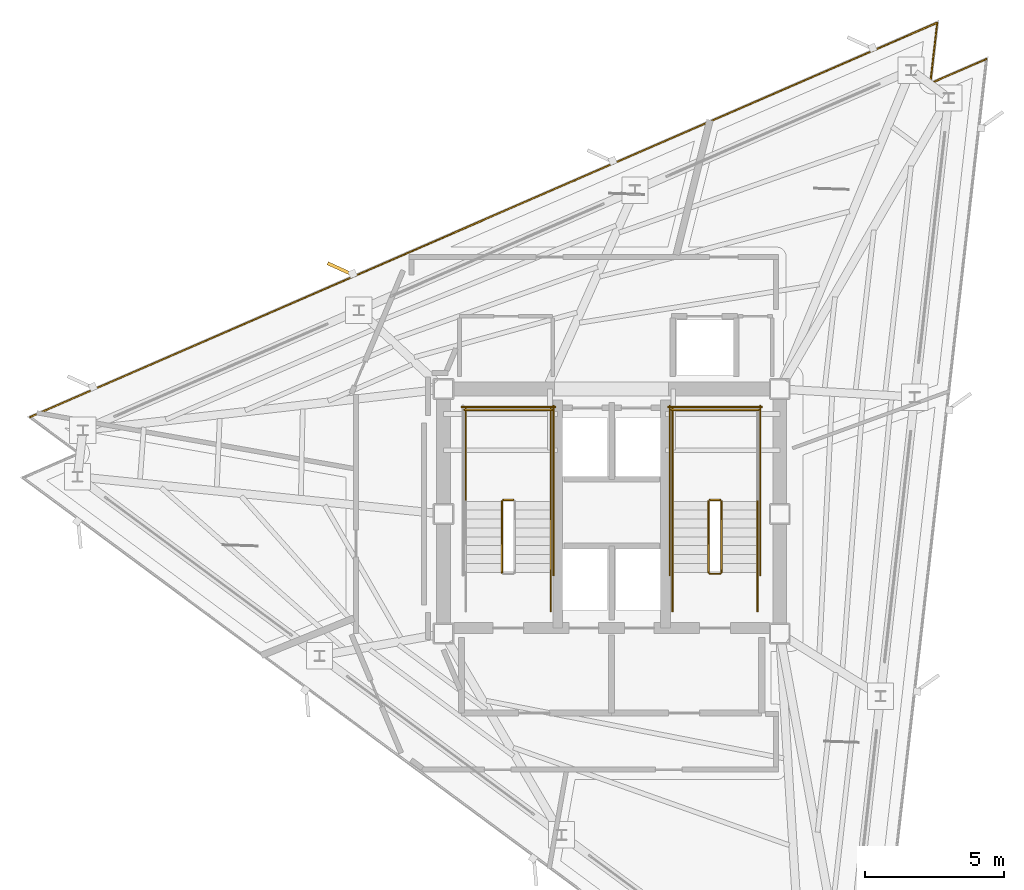
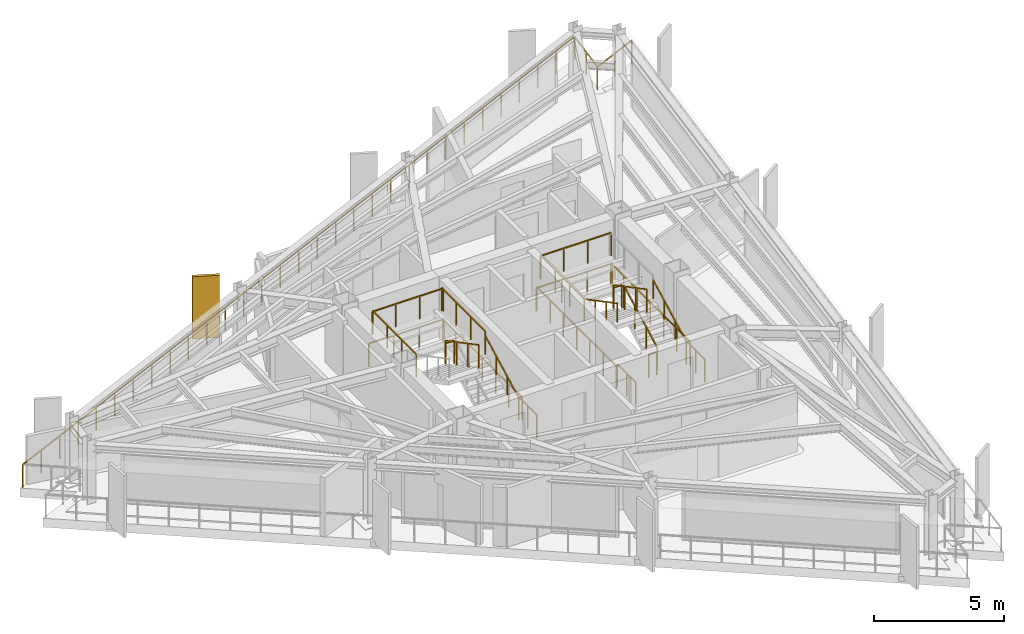
# One storey, part 9 of 10: 23 railings, 1 shading device.
"""IFC4 building model written with IfcOpenShell, lengths in metres."""

import ifcopenshell
import ifcopenshell.guid

model = None  # the IFC model being written
_history = None  # IfcOwnerHistory: only IFC2X3 demands one
_inside = {}  # id of a spatial element -> (the spatial element, [elements in it])
_under = {}  # id of a project, library or spatial element -> (it, [spatial elements below it])
_declared = {}  # id of a project -> (the project, [libraries it declares])
_typed = {}  # id of a type object -> (the type object, [elements of that type])
_made_of = {}  # id of a material, layer set ... -> (it, [elements and type objects made of it])


def new_model(schema):
    """Start an empty IFC model of exactly this schema.

    Asked for "IFC4X3", IfcOpenShell would pick the latest addendum, in which some entities
    have other attributes; the version numbers below select the first issue.
    IFC2X3 requires an IfcOwnerHistory on every rooted entity: one is made here for all.
    """
    global model, _history
    if schema == "IFC4X3":
        model = ifcopenshell.file(schema_version=(4, 3, 0, 0))
    else:
        model = ifcopenshell.file(schema=schema)
    _inside.clear()
    _under.clear()
    _declared.clear()
    _typed.clear()
    _made_of.clear()
    _history = None
    if model.schema == "IFC2X3":
        org = make("IfcOrganization", Name="unknown")
        user = make(
            "IfcPersonAndOrganization",
            ThePerson=make("IfcPerson", FamilyName="unknown"),
            TheOrganization=org,
        )
        app = make(
            "IfcApplication",
            ApplicationDeveloper=org,
            Version="unknown",
            ApplicationFullName="unknown",
            ApplicationIdentifier="unknown",
        )
        _history = make(
            "IfcOwnerHistory",
            OwningUser=user,
            OwningApplication=app,
            ChangeAction="ADDED",
            CreationDate=0,
        )
    return model


def make(cls, **values):
    """One entity of the class cls with the attributes given. An attribute that is None is left unset."""
    return model.create_entity(
        cls, **{name: value for name, value in values.items() if value is not None}
    )


def rooted(cls, **values):
    """An entity with a GlobalId (a new one), such as an element, a storey or a relation."""
    return make(cls, GlobalId=ifcopenshell.guid.new(), OwnerHistory=_history, **values)


def si_unit(unit_type, name, prefix=None):
    """IfcSIUnit, for example si_unit("LENGTHUNIT", "METRE", prefix="MILLI")."""
    return make("IfcSIUnit", UnitType=unit_type, Prefix=prefix, Name=name)


def assignment(units):
    """IfcUnitAssignment: the units of a project."""
    return None if units is None else make("IfcUnitAssignment", Units=units)


def point(xyz):
    """IfcCartesianPoint."""
    return None if xyz is None else make("IfcCartesianPoint", Coordinates=xyz)


def direction(xyz):
    """IfcDirection."""
    return None if xyz is None else make("IfcDirection", DirectionRatios=xyz)


def frame(location, z_axis=None, x_axis=None):
    """IfcAxis2Placement3D, a coordinate frame: its origin and axes. An axis left out is left unset."""
    return make(
        "IfcAxis2Placement3D",
        Location=point(location),
        Axis=direction(z_axis),
        RefDirection=direction(x_axis),
    )


def frame_2d(location, x_axis=None):
    """IfcAxis2Placement2D, a coordinate frame in the plane: its origin and x axis."""
    return make(
        "IfcAxis2Placement2D", Location=point(location), RefDirection=direction(x_axis)
    )


def origin():
    """The frame at (0, 0, 0) with its axes left unset."""
    return frame((0.0, 0.0, 0.0))


def origin_2d():
    """The frame at (0, 0) in the plane with its x axis left unset."""
    return frame_2d((0.0, 0.0))


def place(relative_to, where):
    """IfcLocalPlacement: puts the frame where relative to a parent placement (None: the world)."""
    return make(
        "IfcLocalPlacement", PlacementRelTo=relative_to, RelativePlacement=where
    )


def context(
    kind, dimensions, precision=None, world=None, true_north=None, identifier=None
):
    """IfcGeometricRepresentationContext, for example the 3D "Model" context."""
    return make(
        "IfcGeometricRepresentationContext",
        ContextIdentifier=identifier,
        ContextType=kind,
        CoordinateSpaceDimension=dimensions,
        Precision=precision,
        WorldCoordinateSystem=world,
        TrueNorth=true_north,
    )


def subcontext(parent, identifier, kind, view, scale=None):
    """IfcGeometricRepresentationSubContext, for example "Body" below "Model"."""
    return make(
        "IfcGeometricRepresentationSubContext",
        ContextIdentifier=identifier,
        ContextType=kind,
        ParentContext=parent,
        TargetScale=scale,
        TargetView=view,
    )


def project(units=None, contexts=None):
    """IfcProject with its units and contexts."""
    return rooted(
        "IfcProject",
        Name="project",
        RepresentationContexts=contexts,
        UnitsInContext=assignment(units),
    )


def spatial(cls, under=None, at=None, **own):
    """A site, building, storey or space (cls), placed at a placement, below another one or the project."""
    s = rooted(cls, ObjectPlacement=at, **own)
    if under is not None:
        _under.setdefault(under.id(), (under, []))[1].append(s)
    return s


def profile(cls, at=None, kind="AREA", **sizes):
    """A parametric profile (cls). Its sizes go by their IFC names, for example OverallWidth=200.0."""
    return make(cls, ProfileType=kind, Position=at, **sizes)


def rectangle(**sizes):
    """IfcRectangleProfileDef."""
    return profile("IfcRectangleProfileDef", **sizes)


def extrude(swept, where, along, depth):
    """IfcExtrudedAreaSolid: the profile swept, set in the frame where, extruded along a direction by depth."""
    return make(
        "IfcExtrudedAreaSolid",
        SweptArea=swept,
        Position=where,
        ExtrudedDirection=direction(along),
        Depth=depth,
    )


def shape(context_of_items, identifier, shape_type, items):
    """IfcShapeRepresentation: the items that make up one representation, for example the "Body"."""
    return make(
        "IfcShapeRepresentation",
        ContextOfItems=context_of_items,
        RepresentationIdentifier=identifier,
        RepresentationType=shape_type,
        Items=items,
    )


def material(Name=None, Category=None):
    """IfcMaterial."""
    return make("IfcMaterial", Name=Name, Category=Category)


def layer(
    of_material, thickness, ventilated=None, Name=None, Category=None, Priority=None
):
    """IfcMaterialLayer: one layer of a wall or slab, of a material (None: an air gap)."""
    return make(
        "IfcMaterialLayer",
        Material=of_material,
        LayerThickness=thickness,
        IsVentilated=ventilated,
        Name=Name,
        Category=Category,
        Priority=Priority,
    )


def layer_set(layers, Name=None):
    """IfcMaterialLayerSet."""
    return make("IfcMaterialLayerSet", MaterialLayers=layers, LayerSetName=Name)


def made_of(thing, what):
    """Note that an element or type object is made of a material, layer set ...; save() writes the relation."""
    if what is not None:
        _made_of.setdefault(what.id(), (what, []))[1].append(thing)
    return thing


def type_object(cls, material=None, **own):
    """A type object (cls), such as IfcWallType, which elements share."""
    return made_of(rooted(cls, **own), material)


def element(
    cls,
    number,
    at=None,
    inside=None,
    cuts=None,
    type_object=None,
    material=None,
    context=None,
    identifier="Body",
    shape_type=None,
    held_by="IfcProductDefinitionShape",
    body=None,
    shapes=None,
    **own,
):
    """One element of the class cls, such as IfcWall. Its Tag is "e" and its number.

    at: its placement. inside: the storey or other place that contains it. cuts: it is an
    opening in that element (IfcRelVoidsElement). A single representation is given by context,
    identifier, shape_type and body (its items); several are given by shapes. held_by: the class
    of the entity that holds the representations. save() writes the other relations.
    """
    e = rooted(cls, Tag="e%d" % number, ObjectPlacement=at, **own)
    if body is not None:
        shapes = [shape(context, identifier, shape_type, body)]
    if shapes is not None:
        e.Representation = make(held_by, Representations=shapes)
    if inside is not None:
        _inside.setdefault(inside.id(), (inside, []))[1].append(e)
    if cuts is not None:
        rooted(
            "IfcRelVoidsElement", RelatingBuildingElement=cuts, RelatedOpeningElement=e
        )
    if type_object is not None:
        _typed.setdefault(type_object.id(), (type_object, []))[1].append(e)
    return made_of(e, material)


def aggregate(whole, parts):
    """IfcRelAggregates: a whole, such as a stair, and the parts it consists of."""
    return rooted("IfcRelAggregates", RelatingObject=whole, RelatedObjects=parts)


def save(model, path):
    """Write the relations noted so far, then the file.

    IfcRelAggregates (storeys below a building ...), IfcRelContainedInSpatialStructure (elements
    in a storey), IfcRelDefinesByType, IfcRelAssociatesMaterial and IfcRelDeclares: one each for
    every whole, place, type object, material and project.
    """
    for whole, parts in _under.values():
        aggregate(whole, parts)
    for where, things in _inside.values():
        rooted(
            "IfcRelContainedInSpatialStructure",
            RelatedElements=things,
            RelatingStructure=where,
        )
    for kind, things in _typed.values():
        rooted("IfcRelDefinesByType", RelatedObjects=things, RelatingType=kind)
    for what, things in _made_of.values():
        rooted("IfcRelAssociatesMaterial", RelatedObjects=things, RelatingMaterial=what)
    for by, libraries in _declared.values():
        rooted("IfcRelDeclares", RelatingContext=by, RelatedDefinitions=libraries)
    model.write(path)


model = new_model("IFC4")

# Units and contexts
model_context = context("Model", 3, precision=1e-05, world=origin(), true_north=direction((0.0, 1.0)))
body_context = subcontext(model_context, "Body", "Model", "MODEL_VIEW")
ifc_project = project(units=[si_unit("LENGTHUNIT", "METRE"), si_unit("AREAUNIT", "SQUARE_METRE"), si_unit("VOLUMEUNIT", "CUBIC_METRE"), si_unit("PLANEANGLEUNIT", "RADIAN"), si_unit("MASSUNIT", "GRAM", prefix="KILO")], contexts=[model_context])

# Site, building, storey
site_placement = place(None, origin())
site = spatial("IfcSite", under=ifc_project, at=site_placement, CompositionType="ELEMENT")
building_placement = place(site_placement, origin())
building = spatial("IfcBuilding", under=site, at=building_placement, Name="Rocaltana Carrier Exchange", CompositionType="ELEMENT")
storey_placement = place(building_placement, frame((0.0, 0.0, 214.8798828125)))
storey = spatial("IfcBuildingStorey", under=building, at=storey_placement, Name="L68", CompositionType="ELEMENT", Elevation=214.8798828125)

# Railings
ifc_material_1 = material(Name="Brushed Architectural Stainless Tube", Category="steel")
ifc_layer_1 = layer(ifc_material_1, 0.048095703125)
ifc_layer_set_1 = layer_set([ifc_layer_1], Name="Brushed Architectural Stainless Tube")
railing_type_1 = type_object("IfcRailingType", Name="Stair Wall Handrail 920", PredefinedType="HANDRAIL", material=ifc_layer_set_1)
for number, where, name in (
    (1, (-2.18994140625, -2.10009765625, 0.1689453125), "L68 ST-1 stair handrail 1"),
    (2, (5.25, -2.10009765625, 0.1689453125), "L68 ST-2 stair handrail 1"),
):
    element("IfcRailing", number, at=place(storey_placement, frame(where)), inside=storey, type_object=railing_type_1, Name=name, PredefinedType="HANDRAIL", context=body_context, shape_type="SweptSolid", body=[
        extrude(rectangle(XDim=0.048095703125, YDim=0.048095703125, at=origin_2d()), frame((0.0, 0.0, 0.8759765625), z_axis=(0.0, 0.884394423565, 0.466740295633), x_axis=(-1.0, 0.0, 0.0)), (0.0, 0.0, 1.0), 2.894775390625),
        extrude(rectangle(XDim=0.0419921875, YDim=0.0419921875, at=origin_2d()), origin(), (0.0, 0.0, 1.0), 0.851806640625),
        extrude(rectangle(XDim=0.0419921875, YDim=0.0419921875, at=origin_2d()), frame((0.0, 0.853271484375, 0.450439453125)), (0.0, 0.0, 1.0), 0.851806640625),
        extrude(rectangle(XDim=0.0419921875, YDim=0.0419921875, at=origin_2d()), frame((0.0, 1.706787109375, 0.900634765625)), (0.0, 0.0, 1.0), 0.851806640625),
        extrude(rectangle(XDim=0.0419921875, YDim=0.0419921875, at=origin_2d()), frame((0.0, 2.56005859375, 1.35107421875)), (0.0, 0.0, 1.0), 0.851806640625),
    ])
railing_1_placement = place(storey_placement, frame((2.18994140625, 0.4599609375, 1.68896484375)))
element("IfcRailing", 3, at=railing_1_placement, inside=storey, type_object=railing_type_1, Name="L68 ST-2 stair handrail 2", PredefinedType="HANDRAIL", context=body_context, shape_type="SweptSolid", body=[
    extrude(rectangle(XDim=0.048095703125, YDim=0.048095703125, at=origin_2d()), frame((0.0, 0.0, 0.8759765625), z_axis=(0.0, -0.884394423565, 0.466740295633), x_axis=(1.0, 0.0, 0.0)), (0.0, 0.0, 1.0), 2.894775390625),
    extrude(rectangle(XDim=0.0419921875, YDim=0.0419921875, at=origin_2d()), origin(), (0.0, 0.0, 1.0), 0.851806640625),
    extrude(rectangle(XDim=0.0419921875, YDim=0.0419921875, at=origin_2d()), frame((0.0, -0.853271484375, 0.450439453125)), (0.0, 0.0, 1.0), 0.851806640625),
    extrude(rectangle(XDim=0.0419921875, YDim=0.0419921875, at=origin_2d()), frame((0.0, -1.706787109375, 0.900634765625)), (0.0, 0.0, 1.0), 0.851806640625),
    extrude(rectangle(XDim=0.0419921875, YDim=0.0419921875, at=origin_2d()), frame((0.0, -2.56005859375, 1.35107421875)), (0.0, 0.0, 1.0), 0.851806640625),
])
ifc_material_2 = material(Name="Powder-Coated Aluminium 6063-T6", Category="aluminium")
ifc_layer_2 = layer(ifc_material_2, 0.048095703125)
ifc_layer_set_2 = layer_set([ifc_layer_2], Name="Powder-Coated Aluminium 6063-T6")
railing_type_2 = type_object("IfcRailingType", Name="Stair Well Guardrail 1100", PredefinedType="GUARDRAIL", material=ifc_layer_set_2)
railing_2_placement = place(storey_placement, frame((-3.5400390625, 0.510009765625, 1.52001953125)))
element("IfcRailing", 4, at=railing_2_placement, inside=storey, type_object=railing_type_2, Name="L68 ST-1 stair guard 2", PredefinedType="GUARDRAIL", context=body_context, shape_type="SweptSolid", body=[
    extrude(rectangle(XDim=0.048095703125, YDim=0.048095703125, at=origin_2d()), frame((0.0, 0.0, 1.076171875), z_axis=(-1.0, 0.0, 0.0), x_axis=(0.0, -1.0, 0.0)), (0.0, 0.0, 1.0), 0.35986328125),
    extrude(rectangle(XDim=0.0419921875, YDim=0.0419921875, at=origin_2d()), origin(), (0.0, 0.0, 1.0), 1.052001953125),
    extrude(rectangle(XDim=0.0419921875, YDim=0.0419921875, at=origin_2d()), frame((-0.35986328125, 0.0, 0.0)), (0.0, 0.0, 1.0), 1.052001953125),
])
for number, where, name in (
    (5, (-2.18994140625, 0.4599609375, 1.52001953125), "L68 ST-1 stair guard 3"),
    (6, (-5.25, 0.4599609375, 1.52001953125), "L68 ST-1 stair guard 4"),
):
    element("IfcRailing", number, at=place(storey_placement, frame(where)), inside=storey, type_object=railing_type_2, Name=name, PredefinedType="GUARDRAIL", context=body_context, shape_type="SweptSolid", body=[
        extrude(rectangle(XDim=0.048095703125, YDim=0.048095703125, at=origin_2d()), frame((0.0, 0.0, 1.076171875), z_axis=(0.0, 1.0, 0.0), x_axis=(-1.0, 0.0, 0.0)), (0.0, 0.0, 1.0), 3.340087890625),
        extrude(rectangle(XDim=0.0419921875, YDim=0.0419921875, at=origin_2d()), origin(), (0.0, 0.0, 1.0), 1.052001953125),
        extrude(rectangle(XDim=0.0419921875, YDim=0.0419921875, at=origin_2d()), frame((0.0, 1.11328125, 0.0)), (0.0, 0.0, 1.0), 1.052001953125),
        extrude(rectangle(XDim=0.0419921875, YDim=0.0419921875, at=origin_2d()), frame((0.0, 2.226806640625, 0.0)), (0.0, 0.0, 1.0), 1.052001953125),
        extrude(rectangle(XDim=0.0419921875, YDim=0.0419921875, at=origin_2d()), frame((0.0, 3.340087890625, 0.0)), (0.0, 0.0, 1.0), 1.052001953125),
    ])
railing_3_placement = place(storey_placement, frame((-2.139892578125, 3.75, 1.52001953125)))
element("IfcRailing", 7, at=railing_3_placement, inside=storey, type_object=railing_type_2, Name="L68 ST-1 stair guard 5", PredefinedType="GUARDRAIL", context=body_context, shape_type="SweptSolid", body=[
    extrude(rectangle(XDim=0.048095703125, YDim=0.048095703125, at=origin_2d()), frame((0.0, 0.0, 1.076171875), z_axis=(-1.0, 0.0, 0.0), x_axis=(0.0, -1.0, 0.0)), (0.0, 0.0, 1.0), 3.16015625),
    extrude(rectangle(XDim=0.0419921875, YDim=0.0419921875, at=origin_2d()), origin(), (0.0, 0.0, 1.0), 1.052001953125),
    extrude(rectangle(XDim=0.0419921875, YDim=0.0419921875, at=origin_2d()), frame((-1.053466796875, 0.0, 0.0)), (0.0, 0.0, 1.0), 1.052001953125),
    extrude(rectangle(XDim=0.0419921875, YDim=0.0419921875, at=origin_2d()), frame((-2.106689453125, 0.0, 0.0)), (0.0, 0.0, 1.0), 1.052001953125),
    extrude(rectangle(XDim=0.0419921875, YDim=0.0419921875, at=origin_2d()), frame((-3.16015625, 0.0, 0.0)), (0.0, 0.0, 1.0), 1.052001953125),
])
railing_4_placement = place(storey_placement, frame((-3.949951171875, 0.4599609375, 1.68896484375)))
element("IfcRailing", 8, at=railing_4_placement, inside=storey, type_object=railing_type_2, Name="L68 ST-1 stair guard 6", PredefinedType="GUARDRAIL", context=body_context, shape_type="SweptSolid", body=[
    extrude(rectangle(XDim=0.048095703125, YDim=0.048095703125, at=origin_2d()), frame((0.0, 0.0, 1.076171875), z_axis=(0.0, -0.884394423565, 0.466740295633), x_axis=(1.0, 0.0, 0.0)), (0.0, 0.0, 1.0), 2.894775390625),
    extrude(rectangle(XDim=0.0419921875, YDim=0.0419921875, at=origin_2d()), origin(), (0.0, 0.0, 1.0), 1.052001953125),
    extrude(rectangle(XDim=0.0419921875, YDim=0.0419921875, at=origin_2d()), frame((0.0, -0.853271484375, 0.450439453125)), (0.0, 0.0, 1.0), 1.052001953125),
    extrude(rectangle(XDim=0.0419921875, YDim=0.0419921875, at=origin_2d()), frame((0.0, -1.706787109375, 0.900634765625)), (0.0, 0.0, 1.0), 1.052001953125),
    extrude(rectangle(XDim=0.0419921875, YDim=0.0419921875, at=origin_2d()), frame((0.0, -2.56005859375, 1.35107421875)), (0.0, 0.0, 1.0), 1.052001953125),
])
railing_5_placement = place(storey_placement, frame((-2.18994140625, -3.5, 0.0)))
element("IfcRailing", 9, at=railing_5_placement, inside=storey, type_object=railing_type_2, Name="L68 ST-1 stair guard 8", PredefinedType="GUARDRAIL", context=body_context, shape_type="SweptSolid", body=[
    extrude(rectangle(XDim=0.048095703125, YDim=0.048095703125, at=origin_2d()), frame((0.0, 0.0, 1.076171875), z_axis=(0.0, 1.0, 0.0), x_axis=(-1.0, 0.0, 0.0)), (0.0, 0.0, 1.0), 1.39990234375),
    extrude(rectangle(XDim=0.0419921875, YDim=0.0419921875, at=origin_2d()), origin(), (0.0, 0.0, 1.0), 1.052001953125),
    extrude(rectangle(XDim=0.0419921875, YDim=0.0419921875, at=origin_2d()), frame((0.0, 0.699951171875, 0.0)), (0.0, 0.0, 1.0), 1.052001953125),
    extrude(rectangle(XDim=0.0419921875, YDim=0.0419921875, at=origin_2d()), frame((0.0, 1.39990234375, 0.0)), (0.0, 0.0, 1.0), 1.052001953125),
])
railing_6_placement = place(storey_placement, frame((-2.090087890625, -2.199951171875, 0.0)))
element("IfcRailing", 10, at=railing_6_placement, inside=storey, type_object=railing_type_2, Name="L68 ST-1 stair guard 10", PredefinedType="GUARDRAIL", context=body_context, shape_type="SweptSolid", body=[
    extrude(rectangle(XDim=0.048095703125, YDim=0.048095703125, at=origin_2d()), frame((0.0, 0.0, 1.076171875), z_axis=(0.0, 1.0, 0.0), x_axis=(-1.0, 0.0, 0.0)), (0.0, 0.0, 1.0), 6.099853515625),
    extrude(rectangle(XDim=0.0419921875, YDim=0.0419921875, at=origin_2d()), origin(), (0.0, 0.0, 1.0), 1.052001953125),
    extrude(rectangle(XDim=0.0419921875, YDim=0.0419921875, at=origin_2d()), frame((0.0, 1.0166015625, 0.0)), (0.0, 0.0, 1.0), 1.052001953125),
    extrude(rectangle(XDim=0.0419921875, YDim=0.0419921875, at=origin_2d()), frame((0.0, 2.033203125, 0.0)), (0.0, 0.0, 1.0), 1.052001953125),
    extrude(rectangle(XDim=0.0419921875, YDim=0.0419921875, at=origin_2d()), frame((0.0, 3.0498046875, 0.0)), (0.0, 0.0, 1.0), 1.052001953125),
    extrude(rectangle(XDim=0.0419921875, YDim=0.0419921875, at=origin_2d()), frame((0.0, 4.066650390625, 0.0)), (0.0, 0.0, 1.0), 1.052001953125),
    extrude(rectangle(XDim=0.0419921875, YDim=0.0419921875, at=origin_2d()), frame((0.0, 5.083251953125, 0.0)), (0.0, 0.0, 1.0), 1.052001953125),
    extrude(rectangle(XDim=0.0419921875, YDim=0.0419921875, at=origin_2d()), frame((0.0, 6.099853515625, 0.0)), (0.0, 0.0, 1.0), 1.052001953125),
])
railing_7_placement = place(storey_placement, frame((-2.0400390625, 3.85009765625, 0.0)))
element("IfcRailing", 11, at=railing_7_placement, inside=storey, type_object=railing_type_2, Name="L68 ST-1 stair guard 12", PredefinedType="GUARDRAIL", context=body_context, shape_type="SweptSolid", body=[
    extrude(rectangle(XDim=0.048095703125, YDim=0.048095703125, at=origin_2d()), frame((0.0, 0.0, 1.076171875), z_axis=(-1.0, 0.0, 0.0), x_axis=(0.0, -1.0, 0.0)), (0.0, 0.0, 1.0), 3.35986328125),
    extrude(rectangle(XDim=0.0419921875, YDim=0.0419921875, at=origin_2d()), origin(), (0.0, 0.0, 1.0), 1.052001953125),
    extrude(rectangle(XDim=0.0419921875, YDim=0.0419921875, at=origin_2d()), frame((-1.119873046875, 0.0, 0.0)), (0.0, 0.0, 1.0), 1.052001953125),
    extrude(rectangle(XDim=0.0419921875, YDim=0.0419921875, at=origin_2d()), frame((-2.239990234375, 0.0, 0.0)), (0.0, 0.0, 1.0), 1.052001953125),
    extrude(rectangle(XDim=0.0419921875, YDim=0.0419921875, at=origin_2d()), frame((-3.35986328125, 0.0, 0.0)), (0.0, 0.0, 1.0), 1.052001953125),
])
railing_8_placement = place(storey_placement, frame((3.949951171875, -2.10009765625, 0.1689453125)))
element("IfcRailing", 12, at=railing_8_placement, inside=storey, type_object=railing_type_2, Name="L68 ST-2 stair guard 1", PredefinedType="GUARDRAIL", context=body_context, shape_type="SweptSolid", body=[
    extrude(rectangle(XDim=0.048095703125, YDim=0.048095703125, at=origin_2d()), frame((0.0, 0.0, 1.076171875), z_axis=(0.0, 0.884394423565, 0.466740295633), x_axis=(-1.0, 0.0, 0.0)), (0.0, 0.0, 1.0), 2.894775390625),
    extrude(rectangle(XDim=0.0419921875, YDim=0.0419921875, at=origin_2d()), origin(), (0.0, 0.0, 1.0), 1.052001953125),
    extrude(rectangle(XDim=0.0419921875, YDim=0.0419921875, at=origin_2d()), frame((0.0, 0.853271484375, 0.450439453125)), (0.0, 0.0, 1.0), 1.052001953125),
    extrude(rectangle(XDim=0.0419921875, YDim=0.0419921875, at=origin_2d()), frame((0.0, 1.706787109375, 0.900634765625)), (0.0, 0.0, 1.0), 1.052001953125),
    extrude(rectangle(XDim=0.0419921875, YDim=0.0419921875, at=origin_2d()), frame((0.0, 2.56005859375, 1.35107421875)), (0.0, 0.0, 1.0), 1.052001953125),
])
railing_9_placement = place(storey_placement, frame((3.89990234375, 0.510009765625, 1.52001953125)))
element("IfcRailing", 13, at=railing_9_placement, inside=storey, type_object=railing_type_2, Name="L68 ST-2 stair guard 2", PredefinedType="GUARDRAIL", context=body_context, shape_type="SweptSolid", body=[
    extrude(rectangle(XDim=0.048095703125, YDim=0.048095703125, at=origin_2d()), frame((0.0, 0.0, 1.076171875), z_axis=(-1.0, 0.0, 0.0), x_axis=(0.0, -1.0, 0.0)), (0.0, 0.0, 1.0), 0.35986328125),
    extrude(rectangle(XDim=0.0419921875, YDim=0.0419921875, at=origin_2d()), origin(), (0.0, 0.0, 1.0), 1.052001953125),
    extrude(rectangle(XDim=0.0419921875, YDim=0.0419921875, at=origin_2d()), frame((-0.35986328125, 0.0, 0.0)), (0.0, 0.0, 1.0), 1.052001953125),
])
railing_10_placement = place(storey_placement, frame((2.18994140625, 0.4599609375, 1.52001953125)))
element("IfcRailing", 14, at=railing_10_placement, inside=storey, type_object=railing_type_2, Name="L68 ST-2 stair guard 4", PredefinedType="GUARDRAIL", context=body_context, shape_type="SweptSolid", body=[
    extrude(rectangle(XDim=0.048095703125, YDim=0.048095703125, at=origin_2d()), frame((0.0, 0.0, 1.076171875), z_axis=(0.0, 1.0, 0.0), x_axis=(-1.0, 0.0, 0.0)), (0.0, 0.0, 1.0), 3.340087890625),
    extrude(rectangle(XDim=0.0419921875, YDim=0.0419921875, at=origin_2d()), origin(), (0.0, 0.0, 1.0), 1.052001953125),
    extrude(rectangle(XDim=0.0419921875, YDim=0.0419921875, at=origin_2d()), frame((0.0, 1.11328125, 0.0)), (0.0, 0.0, 1.0), 1.052001953125),
    extrude(rectangle(XDim=0.0419921875, YDim=0.0419921875, at=origin_2d()), frame((0.0, 2.226806640625, 0.0)), (0.0, 0.0, 1.0), 1.052001953125),
    extrude(rectangle(XDim=0.0419921875, YDim=0.0419921875, at=origin_2d()), frame((0.0, 3.340087890625, 0.0)), (0.0, 0.0, 1.0), 1.052001953125),
])
railing_11_placement = place(storey_placement, frame((5.300048828125, 3.75, 1.52001953125)))
element("IfcRailing", 15, at=railing_11_placement, inside=storey, type_object=railing_type_2, Name="L68 ST-2 stair guard 5", PredefinedType="GUARDRAIL", context=body_context, shape_type="SweptSolid", body=[
    extrude(rectangle(XDim=0.048095703125, YDim=0.048095703125, at=origin_2d()), frame((0.0, 0.0, 1.076171875), z_axis=(-1.0, 0.0, 0.0), x_axis=(0.0, -1.0, 0.0)), (0.0, 0.0, 1.0), 3.16015625),
    extrude(rectangle(XDim=0.0419921875, YDim=0.0419921875, at=origin_2d()), origin(), (0.0, 0.0, 1.0), 1.052001953125),
    extrude(rectangle(XDim=0.0419921875, YDim=0.0419921875, at=origin_2d()), frame((-1.053466796875, 0.0, 0.0)), (0.0, 0.0, 1.0), 1.052001953125),
    extrude(rectangle(XDim=0.0419921875, YDim=0.0419921875, at=origin_2d()), frame((-2.106689453125, 0.0, 0.0)), (0.0, 0.0, 1.0), 1.052001953125),
    extrude(rectangle(XDim=0.0419921875, YDim=0.0419921875, at=origin_2d()), frame((-3.16015625, 0.0, 0.0)), (0.0, 0.0, 1.0), 1.052001953125),
])
railing_12_placement = place(storey_placement, frame((3.489990234375, 0.4599609375, 1.68896484375)))
element("IfcRailing", 16, at=railing_12_placement, inside=storey, type_object=railing_type_2, Name="L68 ST-2 stair guard 6", PredefinedType="GUARDRAIL", context=body_context, shape_type="SweptSolid", body=[
    extrude(rectangle(XDim=0.048095703125, YDim=0.048095703125, at=origin_2d()), frame((0.0, 0.0, 1.076171875), z_axis=(0.0, -0.884394423565, 0.466740295633), x_axis=(1.0, 0.0, 0.0)), (0.0, 0.0, 1.0), 2.894775390625),
    extrude(rectangle(XDim=0.0419921875, YDim=0.0419921875, at=origin_2d()), origin(), (0.0, 0.0, 1.0), 1.052001953125),
    extrude(rectangle(XDim=0.0419921875, YDim=0.0419921875, at=origin_2d()), frame((0.0, -0.853271484375, 0.450439453125)), (0.0, 0.0, 1.0), 1.052001953125),
    extrude(rectangle(XDim=0.0419921875, YDim=0.0419921875, at=origin_2d()), frame((0.0, -1.706787109375, 0.900634765625)), (0.0, 0.0, 1.0), 1.052001953125),
    extrude(rectangle(XDim=0.0419921875, YDim=0.0419921875, at=origin_2d()), frame((0.0, -2.56005859375, 1.35107421875)), (0.0, 0.0, 1.0), 1.052001953125),
])
railing_13_placement = place(storey_placement, frame((3.89990234375, -2.14990234375, 0.0)))
element("IfcRailing", 17, at=railing_13_placement, inside=storey, type_object=railing_type_2, Name="L68 ST-2 stair guard 7", PredefinedType="GUARDRAIL", context=body_context, shape_type="SweptSolid", body=[
    extrude(rectangle(XDim=0.048095703125, YDim=0.048095703125, at=origin_2d()), frame((0.0, 0.0, 1.076171875), z_axis=(-1.0, 0.0, 0.0), x_axis=(0.0, -1.0, 0.0)), (0.0, 0.0, 1.0), 0.35986328125),
    extrude(rectangle(XDim=0.0419921875, YDim=0.0419921875, at=origin_2d()), origin(), (0.0, 0.0, 1.0), 1.052001953125),
    extrude(rectangle(XDim=0.0419921875, YDim=0.0419921875, at=origin_2d()), frame((-0.35986328125, 0.0, 0.0)), (0.0, 0.0, 1.0), 1.052001953125),
])
for number, where, name in (
    (18, (5.25, -3.5, 0.0), "L68 ST-2 stair guard 8"),
    (19, (2.18994140625, -3.5, 0.0), "L68 ST-2 stair guard 9"),
):
    element("IfcRailing", number, at=place(storey_placement, frame(where)), inside=storey, type_object=railing_type_2, Name=name, PredefinedType="GUARDRAIL", context=body_context, shape_type="SweptSolid", body=[
        extrude(rectangle(XDim=0.048095703125, YDim=0.048095703125, at=origin_2d()), frame((0.0, 0.0, 1.076171875), z_axis=(0.0, 1.0, 0.0), x_axis=(-1.0, 0.0, 0.0)), (0.0, 0.0, 1.0), 1.39990234375),
        extrude(rectangle(XDim=0.0419921875, YDim=0.0419921875, at=origin_2d()), origin(), (0.0, 0.0, 1.0), 1.052001953125),
        extrude(rectangle(XDim=0.0419921875, YDim=0.0419921875, at=origin_2d()), frame((0.0, 0.699951171875, 0.0)), (0.0, 0.0, 1.0), 1.052001953125),
        extrude(rectangle(XDim=0.0419921875, YDim=0.0419921875, at=origin_2d()), frame((0.0, 1.39990234375, 0.0)), (0.0, 0.0, 1.0), 1.052001953125),
    ])
for number, where, name in (
    (20, (5.35009765625, -2.199951171875, 0.0), "L68 ST-2 stair guard 10"),
    (21, (2.090087890625, -2.199951171875, 0.0), "L68 ST-2 stair guard 11"),
):
    element("IfcRailing", number, at=place(storey_placement, frame(where)), inside=storey, type_object=railing_type_2, Name=name, PredefinedType="GUARDRAIL", context=body_context, shape_type="SweptSolid", body=[
        extrude(rectangle(XDim=0.048095703125, YDim=0.048095703125, at=origin_2d()), frame((0.0, 0.0, 1.076171875), z_axis=(0.0, 1.0, 0.0), x_axis=(-1.0, 0.0, 0.0)), (0.0, 0.0, 1.0), 6.099853515625),
        extrude(rectangle(XDim=0.0419921875, YDim=0.0419921875, at=origin_2d()), origin(), (0.0, 0.0, 1.0), 1.052001953125),
        extrude(rectangle(XDim=0.0419921875, YDim=0.0419921875, at=origin_2d()), frame((0.0, 1.0166015625, 0.0)), (0.0, 0.0, 1.0), 1.052001953125),
        extrude(rectangle(XDim=0.0419921875, YDim=0.0419921875, at=origin_2d()), frame((0.0, 2.033203125, 0.0)), (0.0, 0.0, 1.0), 1.052001953125),
        extrude(rectangle(XDim=0.0419921875, YDim=0.0419921875, at=origin_2d()), frame((0.0, 3.0498046875, 0.0)), (0.0, 0.0, 1.0), 1.052001953125),
        extrude(rectangle(XDim=0.0419921875, YDim=0.0419921875, at=origin_2d()), frame((0.0, 4.066650390625, 0.0)), (0.0, 0.0, 1.0), 1.052001953125),
        extrude(rectangle(XDim=0.0419921875, YDim=0.0419921875, at=origin_2d()), frame((0.0, 5.083251953125, 0.0)), (0.0, 0.0, 1.0), 1.052001953125),
        extrude(rectangle(XDim=0.0419921875, YDim=0.0419921875, at=origin_2d()), frame((0.0, 6.099853515625, 0.0)), (0.0, 0.0, 1.0), 1.052001953125),
    ])
railing_14_placement = place(storey_placement, frame((5.39990234375, 3.85009765625, 0.0)))
element("IfcRailing", 22, at=railing_14_placement, inside=storey, type_object=railing_type_2, Name="L68 ST-2 stair guard 12", PredefinedType="GUARDRAIL", context=body_context, shape_type="SweptSolid", body=[
    extrude(rectangle(XDim=0.048095703125, YDim=0.048095703125, at=origin_2d()), frame((0.0, 0.0, 1.076171875), z_axis=(-1.0, 0.0, 0.0), x_axis=(0.0, -1.0, 0.0)), (0.0, 0.0, 1.0), 3.35986328125),
    extrude(rectangle(XDim=0.0419921875, YDim=0.0419921875, at=origin_2d()), origin(), (0.0, 0.0, 1.0), 1.052001953125),
    extrude(rectangle(XDim=0.0419921875, YDim=0.0419921875, at=origin_2d()), frame((-1.119873046875, 0.0, 0.0)), (0.0, 0.0, 1.0), 1.052001953125),
    extrude(rectangle(XDim=0.0419921875, YDim=0.0419921875, at=origin_2d()), frame((-2.239990234375, 0.0, 0.0)), (0.0, 0.0, 1.0), 1.052001953125),
    extrude(rectangle(XDim=0.0419921875, YDim=0.0419921875, at=origin_2d()), frame((-3.35986328125, 0.0, 0.0)), (0.0, 0.0, 1.0), 1.052001953125),
])

# Shading device
ifc_material_3 = material(Name="Honed Bogota Sandstone & Concrete C45/55", Category="masonry")
ifc_layer_3 = layer(ifc_material_3, 0.1201171875)
ifc_layer_set_3 = layer_set([ifc_layer_3], Name="Honed Bogota Sandstone & Concrete C45/55")
shading_device_type = type_object("IfcShadingDeviceType", Name="Upper Sandstone Shading Fin 1050x120", PredefinedType="USERDEFINED", material=ifc_layer_set_3)
shading_device_placement = place(storey_placement, frame((-9.74560546875, 8.809814453125, -0.119873046875), z_axis=(0.0, 0.0, 1.0), x_axis=(-0.909961270877, 0.414693242656, 0.0)))
element("IfcShadingDevice", 23, at=shading_device_placement, inside=storey, type_object=shading_device_type, Name="L68 Sandstone Vertical Fin F2-03", ObjectType="FIN", PredefinedType="USERDEFINED", context=body_context, shape_type="SweptSolid", body=[
    extrude(rectangle(XDim=1.050048828125, YDim=0.1201171875, at=origin_2d()), origin(), (0.0, 0.0, 1.0), 2.91796875),
])

# Railing
ifc_material_4 = material(Name="Powder-Coated Aluminium 6063-T6", Category="aluminium")
ifc_layer_4 = layer(ifc_material_4, 0.06005859375)
ifc_layer_set_4 = layer_set([ifc_layer_4], Name="Powder-Coated Aluminium 6063-T6")
railing_type_3 = type_object("IfcRailingType", Name="Wind-Floor & Terrace Perimeter Guardrail 1100", PredefinedType="GUARDRAIL", material=ifc_layer_set_4)
railing_15_placement = place(storey_placement, frame((-20.923583984375, 3.490966796875, 0.0)))
element("IfcRailing", 24, at=railing_15_placement, inside=storey, type_object=railing_type_3, Name="L68 Perimeter Balcony Guardrail 2", PredefinedType="GUARDRAIL", context=body_context, shape_type="SweptSolid", body=[
    extrude(rectangle(XDim=0.048095703125, YDim=0.048095703125, at=origin_2d()), frame((0.0, 0.0, 1.076171875), z_axis=(0.917059586912, 0.398750190034, 0.0), x_axis=(-0.398750190034, 0.917059586912, 0.0)), (0.0, 0.0, 1.0), 35.59228515625),
    extrude(rectangle(XDim=0.048095703125, YDim=0.048095703125, at=origin_2d()), frame((32.64013671875, 14.1923828125, 1.076171875), z_axis=(-0.113196037832, -0.993572673245, 0.0), x_axis=(0.993572673245, -0.113196037832, 0.0)), (0.0, 0.0, 1.0), 2.199951171875),
    extrude(rectangle(XDim=0.048095703125, YDim=0.048095703125, at=origin_2d()), frame((32.39111328125, 12.006591796875, 1.076171875), z_axis=(0.917071820503, 0.398722053614, 0.0), x_axis=(-0.398722053614, 0.917071820503, 0.0)), (0.0, 0.0, 1.0), 2.199951171875),
    extrude(rectangle(XDim=0.0419921875, YDim=0.0419921875, at=origin_2d()), origin(), (0.0, 0.0, 1.0), 1.052001953125),
    extrude(rectangle(XDim=0.0419921875, YDim=0.0419921875, at=origin_2d()), frame((1.087890625, 0.47314453125, 0.0)), (0.0, 0.0, 1.0), 1.052001953125),
    extrude(rectangle(XDim=0.0419921875, YDim=0.0419921875, at=origin_2d()), frame((2.176025390625, 0.946044921875, 0.0)), (0.0, 0.0, 1.0), 1.052001953125),
    extrude(rectangle(XDim=0.0419921875, YDim=0.0419921875, at=origin_2d()), frame((3.263916015625, 1.419189453125, 0.0)), (0.0, 0.0, 1.0), 1.052001953125),
    extrude(rectangle(XDim=0.0419921875, YDim=0.0419921875, at=origin_2d()), frame((4.35205078125, 1.892333984375, 0.0)), (0.0, 0.0, 1.0), 1.052001953125),
    extrude(rectangle(XDim=0.0419921875, YDim=0.0419921875, at=origin_2d()), frame((5.43994140625, 2.365478515625, 0.0)), (0.0, 0.0, 1.0), 1.052001953125),
    extrude(rectangle(XDim=0.0419921875, YDim=0.0419921875, at=origin_2d()), frame((6.528076171875, 2.83837890625, 0.0)), (0.0, 0.0, 1.0), 1.052001953125),
    extrude(rectangle(XDim=0.0419921875, YDim=0.0419921875, at=origin_2d()), frame((7.615966796875, 3.3115234375, 0.0)), (0.0, 0.0, 1.0), 1.052001953125),
    extrude(rectangle(XDim=0.0419921875, YDim=0.0419921875, at=origin_2d()), frame((8.7041015625, 3.78466796875, 0.0)), (0.0, 0.0, 1.0), 1.052001953125),
    extrude(rectangle(XDim=0.0419921875, YDim=0.0419921875, at=origin_2d()), frame((9.7919921875, 4.2578125, 0.0)), (0.0, 0.0, 1.0), 1.052001953125),
    extrude(rectangle(XDim=0.0419921875, YDim=0.0419921875, at=origin_2d()), frame((10.880126953125, 4.730712890625, 0.0)), (0.0, 0.0, 1.0), 1.052001953125),
    extrude(rectangle(XDim=0.0419921875, YDim=0.0419921875, at=origin_2d()), frame((11.968017578125, 5.203857421875, 0.0)), (0.0, 0.0, 1.0), 1.052001953125),
    extrude(rectangle(XDim=0.0419921875, YDim=0.0419921875, at=origin_2d()), frame((13.05615234375, 5.677001953125, 0.0)), (0.0, 0.0, 1.0), 1.052001953125),
    extrude(rectangle(XDim=0.0419921875, YDim=0.0419921875, at=origin_2d()), frame((14.14404296875, 6.150146484375, 0.0)), (0.0, 0.0, 1.0), 1.052001953125),
    extrude(rectangle(XDim=0.0419921875, YDim=0.0419921875, at=origin_2d()), frame((15.232177734375, 6.623046875, 0.0)), (0.0, 0.0, 1.0), 1.052001953125),
    extrude(rectangle(XDim=0.0419921875, YDim=0.0419921875, at=origin_2d()), frame((16.320068359375, 7.09619140625, 0.0)), (0.0, 0.0, 1.0), 1.052001953125),
    extrude(rectangle(XDim=0.0419921875, YDim=0.0419921875, at=origin_2d()), frame((17.407958984375, 7.5693359375, 0.0)), (0.0, 0.0, 1.0), 1.052001953125),
    extrude(rectangle(XDim=0.0419921875, YDim=0.0419921875, at=origin_2d()), frame((18.49609375, 8.042236328125, 0.0)), (0.0, 0.0, 1.0), 1.052001953125),
    extrude(rectangle(XDim=0.0419921875, YDim=0.0419921875, at=origin_2d()), frame((19.583984375, 8.515380859375, 0.0)), (0.0, 0.0, 1.0), 1.052001953125),
    extrude(rectangle(XDim=0.0419921875, YDim=0.0419921875, at=origin_2d()), frame((20.672119140625, 8.988525390625, 0.0)), (0.0, 0.0, 1.0), 1.052001953125),
    extrude(rectangle(XDim=0.0419921875, YDim=0.0419921875, at=origin_2d()), frame((21.760009765625, 9.461669921875, 0.0)), (0.0, 0.0, 1.0), 1.052001953125),
    extrude(rectangle(XDim=0.0419921875, YDim=0.0419921875, at=origin_2d()), frame((22.84814453125, 9.9345703125, 0.0)), (0.0, 0.0, 1.0), 1.052001953125),
    extrude(rectangle(XDim=0.0419921875, YDim=0.0419921875, at=origin_2d()), frame((23.93603515625, 10.40771484375, 0.0)), (0.0, 0.0, 1.0), 1.052001953125),
    extrude(rectangle(XDim=0.0419921875, YDim=0.0419921875, at=origin_2d()), frame((25.024169921875, 10.880859375, 0.0)), (0.0, 0.0, 1.0), 1.052001953125),
    extrude(rectangle(XDim=0.0419921875, YDim=0.0419921875, at=origin_2d()), frame((26.112060546875, 11.35400390625, 0.0)), (0.0, 0.0, 1.0), 1.052001953125),
    extrude(rectangle(XDim=0.0419921875, YDim=0.0419921875, at=origin_2d()), frame((27.2001953125, 11.826904296875, 0.0)), (0.0, 0.0, 1.0), 1.052001953125),
    extrude(rectangle(XDim=0.0419921875, YDim=0.0419921875, at=origin_2d()), frame((28.2880859375, 12.300048828125, 0.0)), (0.0, 0.0, 1.0), 1.052001953125),
    extrude(rectangle(XDim=0.0419921875, YDim=0.0419921875, at=origin_2d()), frame((29.376220703125, 12.773193359375, 0.0)), (0.0, 0.0, 1.0), 1.052001953125),
    extrude(rectangle(XDim=0.0419921875, YDim=0.0419921875, at=origin_2d()), frame((30.464111328125, 13.246337890625, 0.0)), (0.0, 0.0, 1.0), 1.052001953125),
    extrude(rectangle(XDim=0.0419921875, YDim=0.0419921875, at=origin_2d()), frame((31.55224609375, 13.71923828125, 0.0)), (0.0, 0.0, 1.0), 1.052001953125),
    extrude(rectangle(XDim=0.0419921875, YDim=0.0419921875, at=origin_2d()), frame((32.64013671875, 14.1923828125, 0.0)), (0.0, 0.0, 1.0), 1.052001953125),
    extrude(rectangle(XDim=0.0419921875, YDim=0.0419921875, at=origin_2d()), frame((32.515625, 13.099609375, 0.0)), (0.0, 0.0, 1.0), 1.052001953125),
    extrude(rectangle(XDim=0.0419921875, YDim=0.0419921875, at=origin_2d()), frame((32.39111328125, 12.006591796875, 0.0)), (0.0, 0.0, 1.0), 1.052001953125),
    extrude(rectangle(XDim=0.0419921875, YDim=0.0419921875, at=origin_2d()), frame((33.39990234375, 12.4453125, 0.0)), (0.0, 0.0, 1.0), 1.052001953125),
    extrude(rectangle(XDim=0.0419921875, YDim=0.0419921875, at=origin_2d()), frame((34.40869140625, 12.8837890625, 0.0)), (0.0, 0.0, 1.0), 1.052001953125),
])

save(model, "model.ifc")
